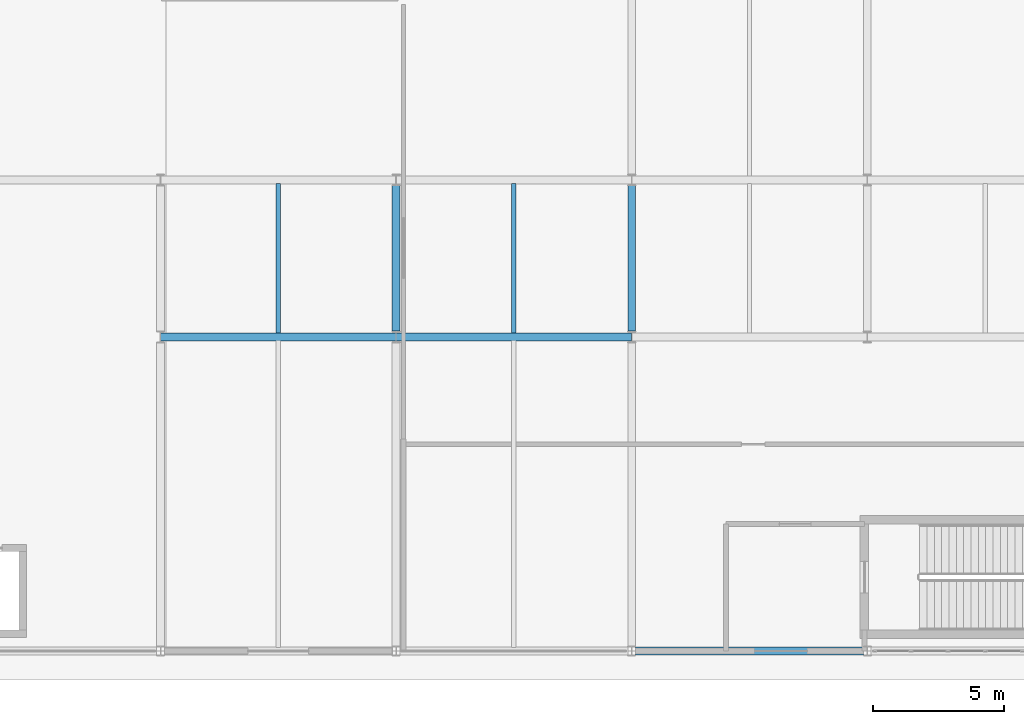
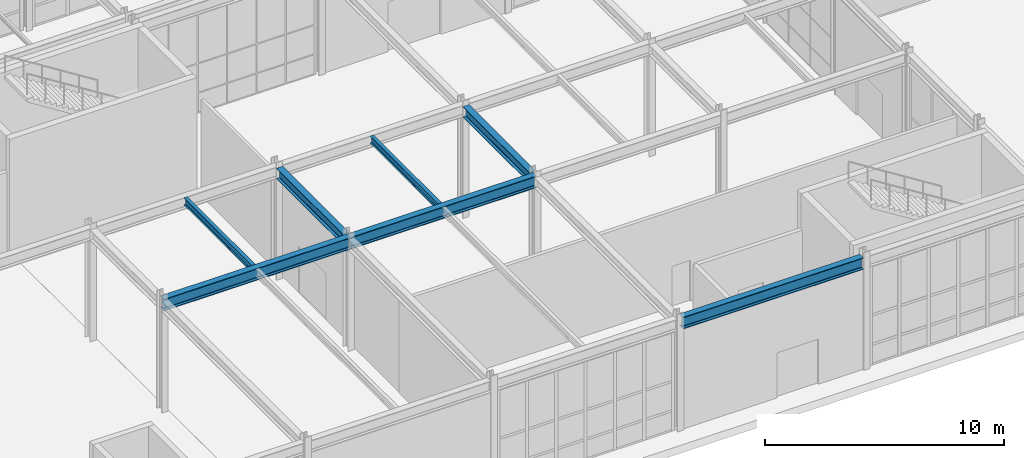
# One storey, part 35 of 146: 7 beams.
"""IFC4 building model written with IfcOpenShell, lengths in metres."""

from ifc_helpers import new_model, si_unit, direction, frame, origin, origin_2d, place, context, subcontext, project, spatial, i_section, extrude, material, material_profile, profile_set, type_object, element, save


model = new_model("IFC4")

# Units and contexts
model_context = context("Model", 3, precision=1e-05, world=origin(), true_north=direction((0.0, 1.0)))
body_context = subcontext(model_context, "Body", "Model", "MODEL_VIEW")
ifc_project = project(units=[si_unit("LENGTHUNIT", "METRE"), si_unit("AREAUNIT", "SQUARE_METRE"), si_unit("VOLUMEUNIT", "CUBIC_METRE"), si_unit("PLANEANGLEUNIT", "RADIAN"), si_unit("MASSUNIT", "GRAM", prefix="KILO")], contexts=[model_context])

# Site, building, storey
site_placement = place(None, origin())
site = spatial("IfcSite", under=ifc_project, at=site_placement, CompositionType="ELEMENT")
building_placement = place(site_placement, origin())
building = spatial("IfcBuilding", under=site, at=building_placement, Name="Kaldris Quays Convention Centre", CompositionType="ELEMENT")
storey_placement = place(building_placement, origin())
storey = spatial("IfcBuildingStorey", under=building, at=storey_placement, Name="L00", CompositionType="ELEMENT", Elevation=0.0)

# Beams
ifc_material = material(Name="Steel S355J2", Category="steel")
ifc_material_profile_1 = material_profile(ifc_material, i_section(OverallWidth=0.300048828125, OverallDepth=0.60009765625, WebThickness=0.015380859375, FlangeThickness=0.030029296875, FilletRadius=0.027099609375, at=origin_2d()), Name="HEB 600")
ifc_profile_set_1 = profile_set([ifc_material_profile_1], Name="Steel S355J2")
beam_type_1 = type_object("IfcBeamType", Name="STRUCTURAL BEAM BM05", PredefinedType="BEAM", material=ifc_profile_set_1)
beam_placement = place(storey_placement, frame((65.14794921875, 16.0, 5.423095703125), z_axis=(1.0, 0.0, 0.0), x_axis=(0.0, 1.0, 0.0)))
element("IfcBeam", 1, at=beam_placement, inside=storey, type_object=beam_type_1, Name="L00 Girder BM05 6", PredefinedType="BEAM", context=body_context, shape_type="SweptSolid", body=[
    extrude(i_section(OverallWidth=0.300048828125, OverallDepth=0.60009765625, WebThickness=0.015380859375, FlangeThickness=0.030029296875, FilletRadius=0.027099609375, at=origin_2d()), origin(), (0.0, 0.0, 1.0), 8.7041015625),
])
for number, where, z_axis, x_axis, name in (
    (2, (47.0009765625, 28.0, 5.423095703125), (1.0, 0.0, 0.0), (0.0, 1.0, 0.0), "L00 Girder BM05 9"),
    (3, (56.0009765625, 28.0, 5.423095703125), (1.0, 0.0, 0.0), (0.0, 1.0, 0.0), "L00 Girder BM05 10"),
):
    element("IfcBeam", number, at=place(storey_placement, frame(where, z_axis=z_axis, x_axis=x_axis)), inside=storey, type_object=beam_type_1, Name=name, PredefinedType="BEAM", context=body_context, shape_type="SweptSolid", body=[
        extrude(i_section(OverallWidth=0.300048828125, OverallDepth=0.60009765625, WebThickness=0.015380859375, FlangeThickness=0.030029296875, FilletRadius=0.027099609375, at=origin_2d()), origin(), (0.0, 0.0, 1.0), 8.998046875),
    ])
ifc_material_profile_2 = material_profile(ifc_material, i_section(OverallWidth=0.300048828125, OverallDepth=0.5400390625, WebThickness=0.012451171875, FlangeThickness=0.02392578125, FilletRadius=0.027099609375, at=origin_2d()), Name="HEA 550")
ifc_profile_set_2 = profile_set([ifc_material_profile_2], Name="Steel S355J2")
beam_type_2 = type_object("IfcBeamType", Name="STRUCTURAL BEAM BM13", PredefinedType="BEAM", material=ifc_profile_set_2)
for number, where, z_axis, x_axis, name in (
    (4, (56.0, 28.218994140625, 5.452880859375), (0.0, 1.0, 0.0), (-1.0, 0.0, 0.0), "L00 Girder BM13 38"),
    (5, (65.0, 28.218994140625, 5.452880859375), (0.0, 1.0, 0.0), (-1.0, 0.0, 0.0), "L00 Girder BM13 40"),
):
    element("IfcBeam", number, at=place(storey_placement, frame(where, z_axis=z_axis, x_axis=x_axis)), inside=storey, type_object=beam_type_2, Name=name, PredefinedType="BEAM", context=body_context, shape_type="SweptSolid", body=[
        extrude(i_section(OverallWidth=0.300048828125, OverallDepth=0.5400390625, WebThickness=0.012451171875, FlangeThickness=0.02392578125, FilletRadius=0.027099609375, at=origin_2d()), origin(), (0.0, 0.0, 1.0), 5.56201171875),
    ])
ifc_material_profile_3 = material_profile(ifc_material, i_section(OverallWidth=0.169921875, OverallDepth=0.360107421875, WebThickness=0.008056640625, FlangeThickness=0.0126953125, FilletRadius=0.01806640625, at=origin_2d()), Name="IPE 360")
ifc_profile_set_3 = profile_set([ifc_material_profile_3], Name="Steel S355J2")
beam_type_3 = type_object("IfcBeamType", Name="STRUCTURAL BEAM JT03", PredefinedType="JOIST", material=ifc_profile_set_3)
for number, where, z_axis, x_axis, name in (
    (6, (51.5, 28.14404296875, 5.54296875), (0.0, 1.0, 0.0), (-1.0, 0.0, 0.0), "L00 Secondary Joist JT03 4"),
    (7, (60.5, 28.14404296875, 5.54296875), (0.0, 1.0, 0.0), (-1.0, 0.0, 0.0), "L00 Secondary Joist JT03 5"),
):
    element("IfcBeam", number, at=place(storey_placement, frame(where, z_axis=z_axis, x_axis=x_axis)), inside=storey, type_object=beam_type_3, Name=name, PredefinedType="JOIST", context=body_context, shape_type="SweptSolid", body=[
        extrude(i_section(OverallWidth=0.169921875, OverallDepth=0.360107421875, WebThickness=0.008056640625, FlangeThickness=0.0126953125, FilletRadius=0.01806640625, at=origin_2d()), origin(), (0.0, 0.0, 1.0), 5.7119140625),
    ])

save(model, "model.ifc")
